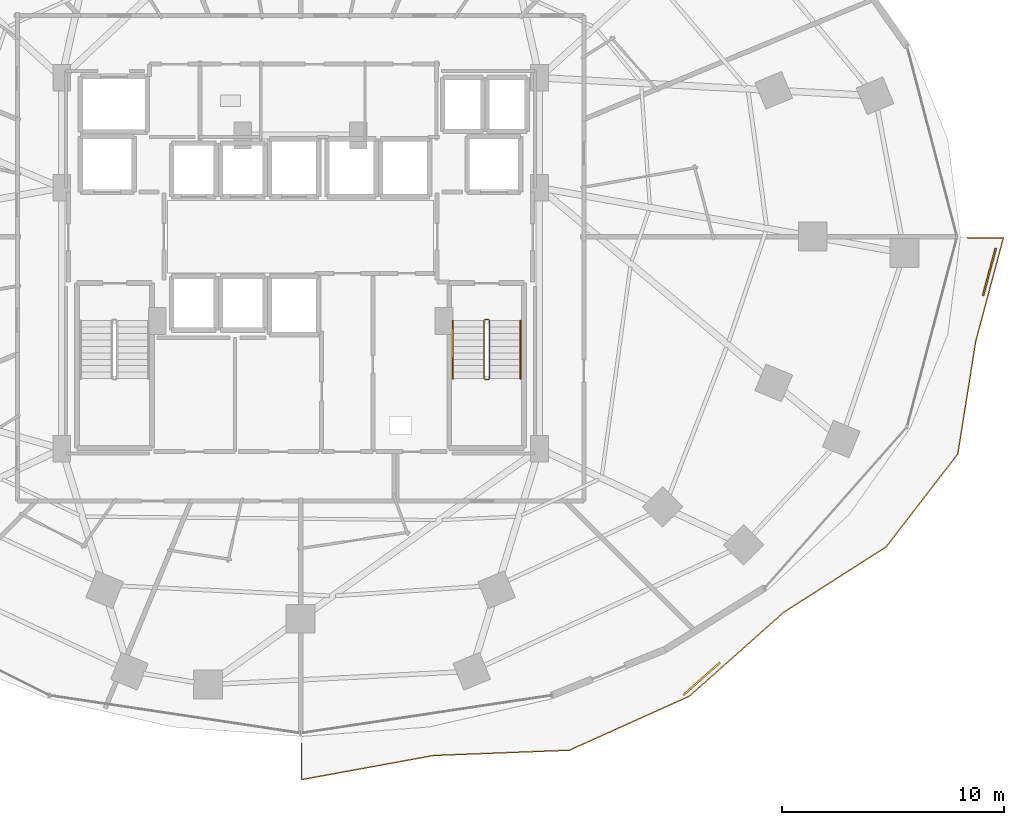
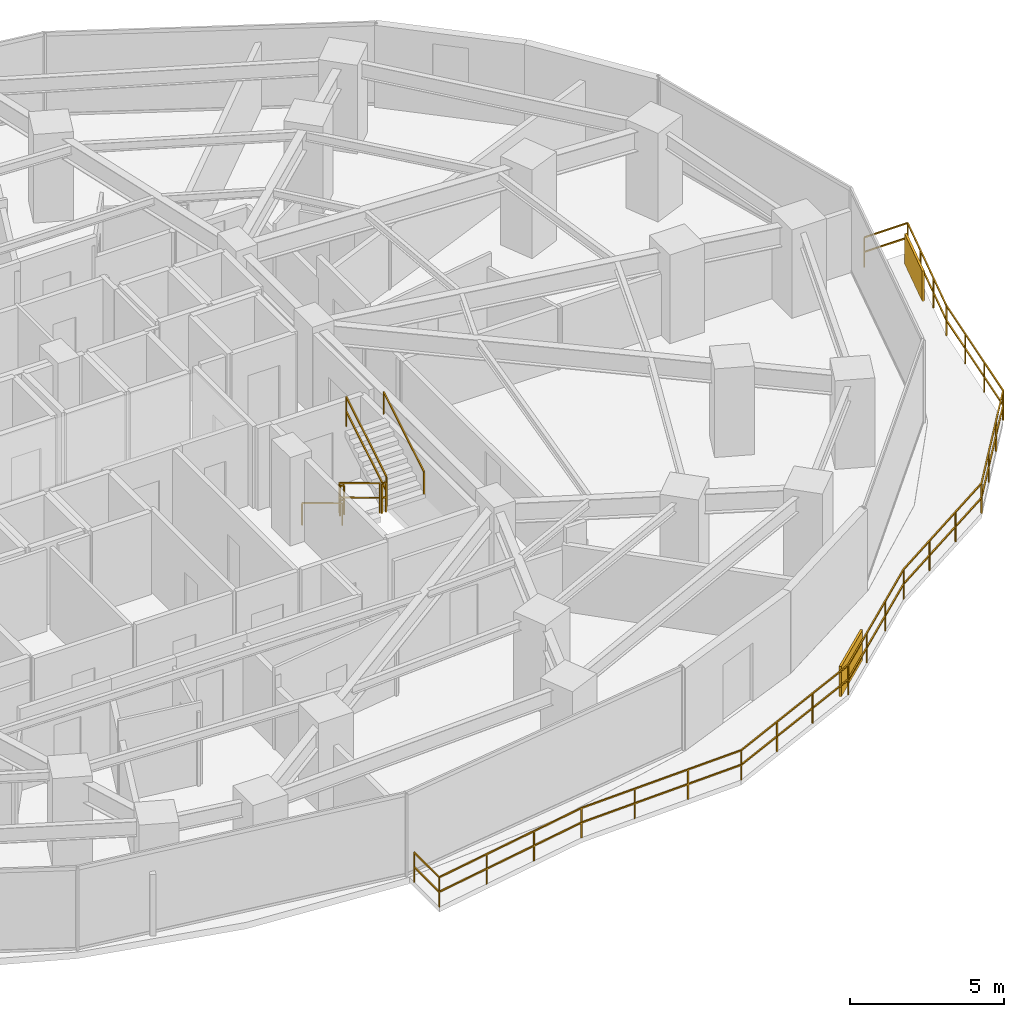
# One storey, part 32 of 34: 8 railings, 2 shading devices.
"""IFC4 building model written with IfcOpenShell, lengths in metres."""

from ifc_helpers import new_model, si_unit, direction, frame, origin, origin_2d, place, context, subcontext, project, spatial, rectangle, extrude, material, type_object, element, save


model = new_model("IFC4")

# Units and contexts
model_context = context("Model", 3, precision=1e-05, world=origin(), true_north=direction((0.0, 1.0)))
body_context = subcontext(model_context, "Body", "Model", "MODEL_VIEW")
ifc_project = project(units=[si_unit("LENGTHUNIT", "METRE"), si_unit("AREAUNIT", "SQUARE_METRE"), si_unit("VOLUMEUNIT", "CUBIC_METRE"), si_unit("PLANEANGLEUNIT", "RADIAN"), si_unit("MASSUNIT", "GRAM", prefix="KILO")], contexts=[model_context])

# Site, building, storey
site_placement = place(None, origin())
site = spatial("IfcSite", under=ifc_project, at=site_placement, CompositionType="ELEMENT")
building_placement = place(site_placement, origin())
building = spatial("IfcBuilding", under=site, at=building_placement, Name="Vorneva Point Tower", CompositionType="ELEMENT")
storey_placement = place(building_placement, frame((0.0, 0.0, 27.5)))
storey = spatial("IfcBuildingStorey", under=building, at=storey_placement, Name="L06", CompositionType="ELEMENT", Elevation=27.5)

# Railings
ifc_material_1 = material(Name="Pale anodised aluminium", Category="aluminium")
railing_type_1 = type_object("IfcRailingType", Name="RL-BAL-1200", PredefinedType="BALUSTRADE", material=ifc_material_1)
railing_1_placement = place(storey_placement, frame((68.389892578125, 21.279541015625, 0.0)))
element("IfcRailing", 1, at=railing_1_placement, inside=storey, type_object=railing_type_1, Name="L06 Wave Balcony Balustrade SE.1", PredefinedType="BALUSTRADE", context=body_context, shape_type="SweptSolid", body=[
    extrude(rectangle(XDim=0.048095703125, YDim=0.048095703125, at=origin_2d()), frame((0.0, 0.0, 1.17578125), z_axis=(0.25792983604, 0.966163650569, 0.0), x_axis=(-0.966163650569, 0.25792983604, 0.0)), (0.0, 0.0, 1.0), 4.833984375),
    extrude(rectangle(XDim=0.048095703125, YDim=0.048095703125, at=origin_2d()), frame((0.0, 0.0, 0.60009765625), z_axis=(0.25792983604, 0.966163650569, 0.0), x_axis=(-0.966163650569, 0.25792983604, 0.0)), (0.0, 0.0, 1.0), 4.833984375),
    extrude(rectangle(XDim=0.048095703125, YDim=0.048095703125, at=origin_2d()), frame((1.246826171875, 4.67041015625, 1.17578125), z_axis=(-1.0, 0.0, 0.0), x_axis=(0.0, -1.0, 0.0)), (0.0, 0.0, 1.0), 1.62060546875),
    extrude(rectangle(XDim=0.048095703125, YDim=0.048095703125, at=origin_2d()), frame((1.246826171875, 4.67041015625, 0.60009765625), z_axis=(-1.0, 0.0, 0.0), x_axis=(0.0, -1.0, 0.0)), (0.0, 0.0, 1.0), 1.62060546875),
    extrude(rectangle(XDim=0.0419921875, YDim=0.0419921875, at=origin_2d()), origin(), (0.0, 0.0, 1.0), 1.15185546875),
    extrude(rectangle(XDim=0.0419921875, YDim=0.0419921875, at=origin_2d()), frame((0.41552734375, 1.556884765625, 0.0)), (0.0, 0.0, 1.0), 1.15185546875),
    extrude(rectangle(XDim=0.0419921875, YDim=0.0419921875, at=origin_2d()), frame((0.831298828125, 3.113525390625, 0.0)), (0.0, 0.0, 1.0), 1.15185546875),
    extrude(rectangle(XDim=0.0419921875, YDim=0.0419921875, at=origin_2d()), frame((1.246826171875, 4.67041015625, 0.0)), (0.0, 0.0, 1.0), 1.15185546875),
    extrude(rectangle(XDim=0.0419921875, YDim=0.0419921875, at=origin_2d()), frame((-0.373779296875, 4.67041015625, 0.0)), (0.0, 0.0, 1.0), 1.15185546875),
])
railing_2_placement = place(storey_placement, frame((38.050048828125, 3.182861328125, 0.0)))
element("IfcRailing", 2, at=railing_2_placement, inside=storey, type_object=railing_type_1, Name="L06 Wave Balcony Balustrade SE.2", PredefinedType="BALUSTRADE", context=body_context, shape_type="SweptSolid", body=[
    extrude(rectangle(XDim=0.048095703125, YDim=0.048095703125, at=origin_2d()), frame((0.0, 0.0, 1.17578125), z_axis=(0.0, -1.0, 0.0), x_axis=(1.0, 0.0, 0.0)), (0.0, 0.0, 1.0), 1.623779296875),
    extrude(rectangle(XDim=0.048095703125, YDim=0.048095703125, at=origin_2d()), frame((0.0, 0.0, 0.60009765625), z_axis=(0.0, -1.0, 0.0), x_axis=(1.0, 0.0, 0.0)), (0.0, 0.0, 1.0), 1.623779296875),
    extrude(rectangle(XDim=0.048095703125, YDim=0.048095703125, at=origin_2d()), frame((0.0, -1.623779296875, 1.17578125), z_axis=(0.983729833809, 0.179654151288, 0.0), x_axis=(-0.179654151288, 0.983729833809, 0.0)), (0.0, 0.0, 1.0), 6.036376953125),
    extrude(rectangle(XDim=0.048095703125, YDim=0.048095703125, at=origin_2d()), frame((0.0, -1.623779296875, 0.60009765625), z_axis=(0.983729833809, 0.179654151288, 0.0), x_axis=(-0.179654151288, 0.983729833809, 0.0)), (0.0, 0.0, 1.0), 6.036376953125),
    extrude(rectangle(XDim=0.048095703125, YDim=0.048095703125, at=origin_2d()), frame((5.938232421875, -0.539306640625, 1.17578125), z_axis=(0.999252656618, 0.038653955067, 0.0), x_axis=(-0.038653955067, 0.999252656618, 0.0)), (0.0, 0.0, 1.0), 6.114013671875),
    extrude(rectangle(XDim=0.048095703125, YDim=0.048095703125, at=origin_2d()), frame((5.938232421875, -0.539306640625, 0.60009765625), z_axis=(0.999252656618, 0.038653955067, 0.0), x_axis=(-0.038653955067, 0.999252656618, 0.0)), (0.0, 0.0, 1.0), 6.114013671875),
    extrude(rectangle(XDim=0.048095703125, YDim=0.048095703125, at=origin_2d()), frame((12.047607421875, -0.302978515625, 1.17578125), z_axis=(0.911854439194, 0.41051368031, 0.0), x_axis=(-0.41051368031, 0.911854439194, 0.0)), (0.0, 0.0, 1.0), 5.927001953125),
    extrude(rectangle(XDim=0.048095703125, YDim=0.048095703125, at=origin_2d()), frame((12.047607421875, -0.302978515625, 0.60009765625), z_axis=(0.911854439194, 0.41051368031, 0.0), x_axis=(-0.41051368031, 0.911854439194, 0.0)), (0.0, 0.0, 1.0), 5.927001953125),
    extrude(rectangle(XDim=0.048095703125, YDim=0.048095703125, at=origin_2d()), frame((17.4521484375, 2.130126953125, 1.17578125), z_axis=(0.747432986741, 0.664337211311, 0.0), x_axis=(-0.664337211311, 0.747432986741, 0.0)), (0.0, 0.0, 1.0), 5.69091796875),
    extrude(rectangle(XDim=0.048095703125, YDim=0.048095703125, at=origin_2d()), frame((17.4521484375, 2.130126953125, 0.60009765625), z_axis=(0.747432986741, 0.664337211311, 0.0), x_axis=(-0.664337211311, 0.747432986741, 0.0)), (0.0, 0.0, 1.0), 5.69091796875),
    extrude(rectangle(XDim=0.048095703125, YDim=0.048095703125, at=origin_2d()), frame((21.705810546875, 5.910888671875, 1.17578125), z_axis=(0.842798797651, 0.538228749397, 0.0), x_axis=(-0.538228749397, 0.842798797651, 0.0)), (0.0, 0.0, 1.0), 5.46044921875),
    extrude(rectangle(XDim=0.048095703125, YDim=0.048095703125, at=origin_2d()), frame((21.705810546875, 5.910888671875, 0.60009765625), z_axis=(0.842798797651, 0.538228749397, 0.0), x_axis=(-0.538228749397, 0.842798797651, 0.0)), (0.0, 0.0, 1.0), 5.46044921875),
    extrude(rectangle(XDim=0.048095703125, YDim=0.048095703125, at=origin_2d()), frame((26.307861328125, 8.849853515625, 1.17578125), z_axis=(0.610666055033, 0.791888230264, 0.0), x_axis=(-0.791888230264, 0.610666055033, 0.0)), (0.0, 0.0, 1.0), 5.28369140625),
    extrude(rectangle(XDim=0.048095703125, YDim=0.048095703125, at=origin_2d()), frame((26.307861328125, 8.849853515625, 0.60009765625), z_axis=(0.610666055033, 0.791888230264, 0.0), x_axis=(-0.791888230264, 0.610666055033, 0.0)), (0.0, 0.0, 1.0), 5.28369140625),
    extrude(rectangle(XDim=0.048095703125, YDim=0.048095703125, at=origin_2d()), frame((29.534423828125, 13.033935546875, 1.17578125), z_axis=(0.157111881792, 0.987580810162, 0.0), x_axis=(-0.987580810162, 0.157111881792, 0.0)), (0.0, 0.0, 1.0), 5.12646484375),
    extrude(rectangle(XDim=0.048095703125, YDim=0.048095703125, at=origin_2d()), frame((29.534423828125, 13.033935546875, 0.60009765625), z_axis=(0.157111881792, 0.987580810162, 0.0), x_axis=(-0.987580810162, 0.157111881792, 0.0)), (0.0, 0.0, 1.0), 5.12646484375),
    extrude(rectangle(XDim=0.0419921875, YDim=0.0419921875, at=origin_2d()), origin(), (0.0, 0.0, 1.0), 1.15185546875),
    extrude(rectangle(XDim=0.0419921875, YDim=0.0419921875, at=origin_2d()), frame((0.0, -1.623779296875, 0.0)), (0.0, 0.0, 1.0), 1.15185546875),
    extrude(rectangle(XDim=0.0419921875, YDim=0.0419921875, at=origin_2d()), frame((1.9794921875, -1.26220703125, 0.0)), (0.0, 0.0, 1.0), 1.15185546875),
    extrude(rectangle(XDim=0.0419921875, YDim=0.0419921875, at=origin_2d()), frame((3.958740234375, -0.90087890625, 0.0)), (0.0, 0.0, 1.0), 1.15185546875),
    extrude(rectangle(XDim=0.0419921875, YDim=0.0419921875, at=origin_2d()), frame((5.938232421875, -0.539306640625, 0.0)), (0.0, 0.0, 1.0), 1.15185546875),
    extrude(rectangle(XDim=0.0419921875, YDim=0.0419921875, at=origin_2d()), frame((7.974609375, -0.46044921875, 0.0)), (0.0, 0.0, 1.0), 1.15185546875),
    extrude(rectangle(XDim=0.0419921875, YDim=0.0419921875, at=origin_2d()), frame((10.01123046875, -0.3818359375, 0.0)), (0.0, 0.0, 1.0), 1.15185546875),
    extrude(rectangle(XDim=0.0419921875, YDim=0.0419921875, at=origin_2d()), frame((12.047607421875, -0.302978515625, 0.0)), (0.0, 0.0, 1.0), 1.15185546875),
    extrude(rectangle(XDim=0.0419921875, YDim=0.0419921875, at=origin_2d()), frame((13.84912109375, 0.508056640625, 0.0)), (0.0, 0.0, 1.0), 1.15185546875),
    extrude(rectangle(XDim=0.0419921875, YDim=0.0419921875, at=origin_2d()), frame((15.650634765625, 1.319091796875, 0.0)), (0.0, 0.0, 1.0), 1.15185546875),
    extrude(rectangle(XDim=0.0419921875, YDim=0.0419921875, at=origin_2d()), frame((17.4521484375, 2.130126953125, 0.0)), (0.0, 0.0, 1.0), 1.15185546875),
    extrude(rectangle(XDim=0.0419921875, YDim=0.0419921875, at=origin_2d()), frame((18.8701171875, 3.390380859375, 0.0)), (0.0, 0.0, 1.0), 1.15185546875),
    extrude(rectangle(XDim=0.0419921875, YDim=0.0419921875, at=origin_2d()), frame((20.287841796875, 4.650634765625, 0.0)), (0.0, 0.0, 1.0), 1.15185546875),
    extrude(rectangle(XDim=0.0419921875, YDim=0.0419921875, at=origin_2d()), frame((21.705810546875, 5.910888671875, 0.0)), (0.0, 0.0, 1.0), 1.15185546875),
    extrude(rectangle(XDim=0.0419921875, YDim=0.0419921875, at=origin_2d()), frame((23.23974609375, 6.890625, 0.0)), (0.0, 0.0, 1.0), 1.15185546875),
    extrude(rectangle(XDim=0.0419921875, YDim=0.0419921875, at=origin_2d()), frame((24.77392578125, 7.8701171875, 0.0)), (0.0, 0.0, 1.0), 1.15185546875),
    extrude(rectangle(XDim=0.0419921875, YDim=0.0419921875, at=origin_2d()), frame((26.307861328125, 8.849853515625, 0.0)), (0.0, 0.0, 1.0), 1.15185546875),
    extrude(rectangle(XDim=0.0419921875, YDim=0.0419921875, at=origin_2d()), frame((27.38330078125, 10.24462890625, 0.0)), (0.0, 0.0, 1.0), 1.15185546875),
    extrude(rectangle(XDim=0.0419921875, YDim=0.0419921875, at=origin_2d()), frame((28.458984375, 11.63916015625, 0.0)), (0.0, 0.0, 1.0), 1.15185546875),
    extrude(rectangle(XDim=0.0419921875, YDim=0.0419921875, at=origin_2d()), frame((29.534423828125, 13.033935546875, 0.0)), (0.0, 0.0, 1.0), 1.15185546875),
    extrude(rectangle(XDim=0.0419921875, YDim=0.0419921875, at=origin_2d()), frame((29.802978515625, 14.721435546875, 0.0)), (0.0, 0.0, 1.0), 1.15185546875),
    extrude(rectangle(XDim=0.0419921875, YDim=0.0419921875, at=origin_2d()), frame((30.0712890625, 16.4091796875, 0.0)), (0.0, 0.0, 1.0), 1.15185546875),
    extrude(rectangle(XDim=0.0419921875, YDim=0.0419921875, at=origin_2d()), frame((30.33984375, 18.0966796875, 0.0)), (0.0, 0.0, 1.0), 1.15185546875),
])
ifc_material_2 = material(Name="Brushed stainless steel S304", Category="steel")
railing_type_2 = type_object("IfcRailingType", Name="RL-HND-920", PredefinedType="HANDRAIL", material=ifc_material_2)
railing_3_placement = place(storey_placement, frame((44.85009765625, 22.219970703125, 0.175048828125)))
element("IfcRailing", 3, at=railing_3_placement, inside=storey, type_object=railing_type_2, Name="L06 ST2 stair handrail 1", PredefinedType="HANDRAIL", context=body_context, shape_type="SweptSolid", body=[
    extrude(rectangle(XDim=0.048095703125, YDim=0.048095703125, at=origin_2d()), frame((0.0, 0.0, 0.8759765625), z_axis=(0.0, -0.85618277418, 0.516673066065), x_axis=(1.0, 0.0, 0.0)), (0.0, 0.0, 1.0), 3.04833984375),
    extrude(rectangle(XDim=0.0419921875, YDim=0.0419921875, at=origin_2d()), origin(), (0.0, 0.0, 1.0), 0.851806640625),
    extrude(rectangle(XDim=0.0419921875, YDim=0.0419921875, at=origin_2d()), frame((0.0, -2.60986328125, 1.574951171875)), (0.0, 0.0, 1.0), 0.851806640625),
])
railing_4_placement = place(storey_placement, frame((47.89990234375, 19.610107421875, 1.925048828125)))
element("IfcRailing", 4, at=railing_4_placement, inside=storey, type_object=railing_type_2, Name="L06 ST2 stair handrail 2", PredefinedType="HANDRAIL", context=body_context, shape_type="SweptSolid", body=[
    extrude(rectangle(XDim=0.048095703125, YDim=0.048095703125, at=origin_2d()), frame((0.0, 0.0, 0.8759765625), z_axis=(0.0, 0.85618277418, 0.516673066065), x_axis=(-1.0, 0.0, 0.0)), (0.0, 0.0, 1.0), 3.04833984375),
    extrude(rectangle(XDim=0.0419921875, YDim=0.0419921875, at=origin_2d()), origin(), (0.0, 0.0, 1.0), 0.851806640625),
    extrude(rectangle(XDim=0.0419921875, YDim=0.0419921875, at=origin_2d()), frame((0.0, 2.60986328125, 1.574951171875)), (0.0, 0.0, 1.0), 0.851806640625),
])
railing_type_3 = type_object("IfcRailingType", Name="RL-STG-1100", PredefinedType="GUARDRAIL", material=ifc_material_2)
railing_5_placement = place(storey_placement, frame((46.25, 22.219970703125, 0.175048828125)))
element("IfcRailing", 5, at=railing_5_placement, inside=storey, type_object=railing_type_3, Name="L06 ST2 stair guard 1", PredefinedType="GUARDRAIL", context=body_context, shape_type="SweptSolid", body=[
    extrude(rectangle(XDim=0.048095703125, YDim=0.048095703125, at=origin_2d()), frame((0.0, 0.0, 1.17578125), z_axis=(0.0, -0.85618277418, 0.516673066065), x_axis=(1.0, 0.0, 0.0)), (0.0, 0.0, 1.0), 3.04833984375),
    extrude(rectangle(XDim=0.048095703125, YDim=0.048095703125, at=origin_2d()), frame((0.0, 0.0, 0.60009765625), z_axis=(0.0, -0.85618277418, 0.516673066065), x_axis=(1.0, 0.0, 0.0)), (0.0, 0.0, 1.0), 3.04833984375),
    extrude(rectangle(XDim=0.0419921875, YDim=0.0419921875, at=origin_2d()), origin(), (0.0, 0.0, 1.0), 1.15185546875),
    extrude(rectangle(XDim=0.0419921875, YDim=0.0419921875, at=origin_2d()), frame((0.0, -2.60986328125, 1.574951171875)), (0.0, 0.0, 1.0), 1.15185546875),
])
railing_6_placement = place(storey_placement, frame((46.300048828125, 19.56005859375, 1.75)))
element("IfcRailing", 6, at=railing_6_placement, inside=storey, type_object=railing_type_3, Name="L06 ST2 stair guard 2", PredefinedType="GUARDRAIL", context=body_context, shape_type="SweptSolid", body=[
    extrude(rectangle(XDim=0.048095703125, YDim=0.048095703125, at=origin_2d()), frame((0.0, 0.0, 1.17578125), z_axis=(1.0, 0.0, 0.0), x_axis=(0.0, 1.0, 0.0)), (0.0, 0.0, 1.0), 0.14990234375),
    extrude(rectangle(XDim=0.048095703125, YDim=0.048095703125, at=origin_2d()), frame((0.0, 0.0, 0.60009765625), z_axis=(1.0, 0.0, 0.0), x_axis=(0.0, 1.0, 0.0)), (0.0, 0.0, 1.0), 0.14990234375),
    extrude(rectangle(XDim=0.0419921875, YDim=0.0419921875, at=origin_2d()), origin(), (0.0, 0.0, 1.0), 1.15185546875),
    extrude(rectangle(XDim=0.0419921875, YDim=0.0419921875, at=origin_2d()), frame((0.14990234375, 0.0, 0.0)), (0.0, 0.0, 1.0), 1.15185546875),
])
railing_7_placement = place(storey_placement, frame((46.5, 19.610107421875, 1.925048828125)))
element("IfcRailing", 7, at=railing_7_placement, inside=storey, type_object=railing_type_3, Name="L06 ST2 stair guard 3", PredefinedType="GUARDRAIL", context=body_context, shape_type="SweptSolid", body=[
    extrude(rectangle(XDim=0.048095703125, YDim=0.048095703125, at=origin_2d()), frame((0.0, 0.0, 1.17578125), z_axis=(0.0, 0.85618277418, 0.516673066065), x_axis=(-1.0, 0.0, 0.0)), (0.0, 0.0, 1.0), 3.04833984375),
    extrude(rectangle(XDim=0.048095703125, YDim=0.048095703125, at=origin_2d()), frame((0.0, 0.0, 0.60009765625), z_axis=(0.0, 0.85618277418, 0.516673066065), x_axis=(-1.0, 0.0, 0.0)), (0.0, 0.0, 1.0), 3.04833984375),
    extrude(rectangle(XDim=0.0419921875, YDim=0.0419921875, at=origin_2d()), origin(), (0.0, 0.0, 1.0), 1.15185546875),
    extrude(rectangle(XDim=0.0419921875, YDim=0.0419921875, at=origin_2d()), frame((0.0, 2.60986328125, 1.574951171875)), (0.0, 0.0, 1.0), 1.15185546875),
])
railing_8_placement = place(storey_placement, frame((46.300048828125, 22.27001953125, 0.0)))
element("IfcRailing", 8, at=railing_8_placement, inside=storey, type_object=railing_type_3, Name="L06 ST2 stair guard 4", PredefinedType="GUARDRAIL", context=body_context, shape_type="SweptSolid", body=[
    extrude(rectangle(XDim=0.048095703125, YDim=0.048095703125, at=origin_2d()), frame((0.0, 0.0, 1.17578125), z_axis=(1.0, 0.0, 0.0), x_axis=(0.0, 1.0, 0.0)), (0.0, 0.0, 1.0), 0.14990234375),
    extrude(rectangle(XDim=0.048095703125, YDim=0.048095703125, at=origin_2d()), frame((0.0, 0.0, 0.60009765625), z_axis=(1.0, 0.0, 0.0), x_axis=(0.0, 1.0, 0.0)), (0.0, 0.0, 1.0), 0.14990234375),
    extrude(rectangle(XDim=0.0419921875, YDim=0.0419921875, at=origin_2d()), origin(), (0.0, 0.0, 1.0), 1.15185546875),
    extrude(rectangle(XDim=0.0419921875, YDim=0.0419921875, at=origin_2d()), frame((0.14990234375, 0.0, 0.0)), (0.0, 0.0, 1.0), 1.15185546875),
])

# Shading devices
shading_device_type = type_object("IfcShadingDeviceType", Name="SHD-JAL-1200", PredefinedType="JALOUSIE", material=ifc_material_1)
for number, where, z_axis, x_axis, name in (
    (9, (69.002685546875, 24.408935546875, -0.02001953125), (0.0, 0.0, 1.0), (0.25792542944, 0.966164826957, 0.0), "L06 Balcony Vertical-Greenery Planter Screen SE.1"),
    (10, (56.049560546875, 6.093994140625, -0.02001953125), (0.0, 0.0, 1.0), (0.747461951473, 0.664304622218, 0.0), "L06 Balcony Vertical-Greenery Planter Screen SE.2"),
):
    element("IfcShadingDevice", number, at=place(storey_placement, frame(where, z_axis=z_axis, x_axis=x_axis)), inside=storey, type_object=shading_device_type, Name=name, PredefinedType="JALOUSIE", context=body_context, shape_type="SweptSolid", body=[
        extrude(rectangle(XDim=2.199951171875, YDim=0.080078125, at=origin_2d()), origin(), (0.0, 0.0, 1.0), 1.199951171875),
    ])

save(model, "model.ifc")
